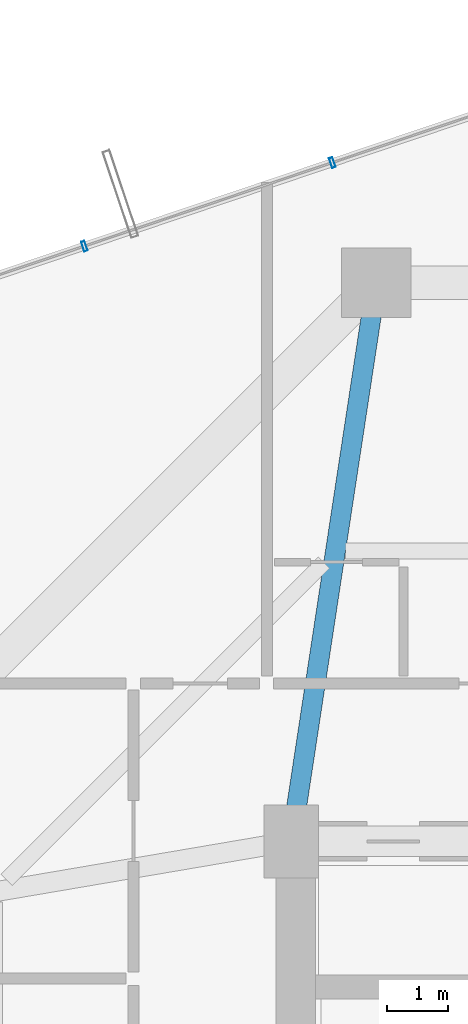
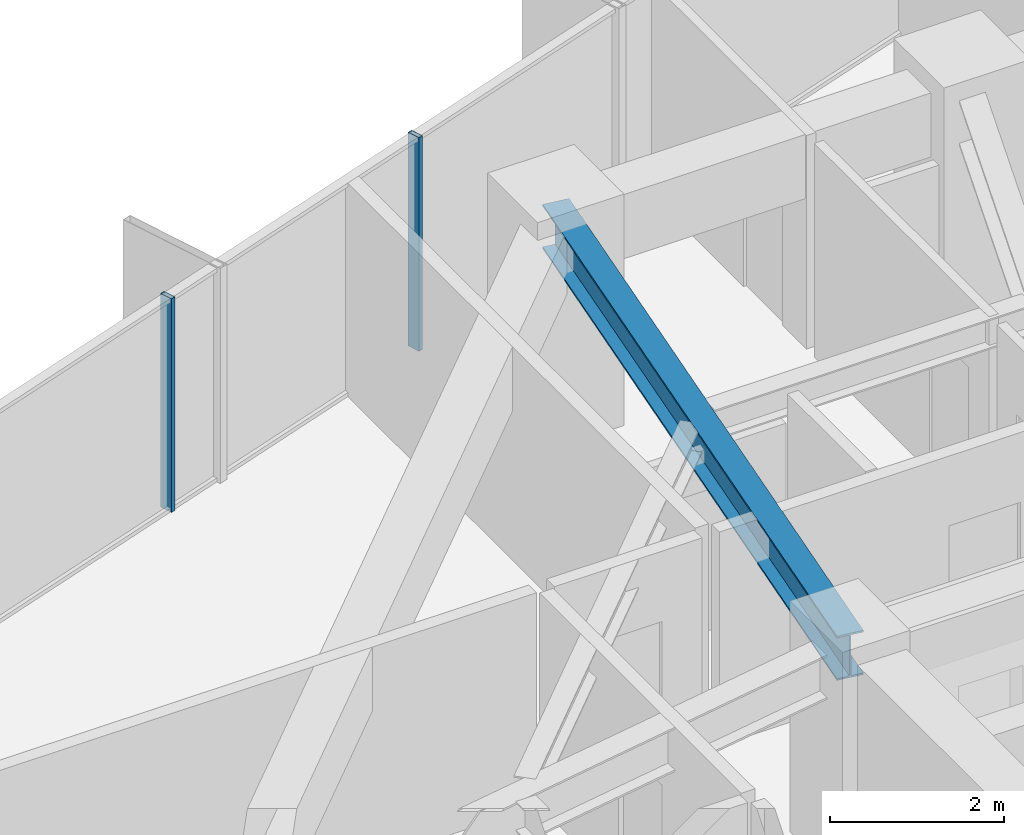
# One storey, part 21 of 32: 2 members, 1 beam, 1 element without a shape of its own.
"""IFC4 building model written with IfcOpenShell, lengths in metres."""

from ifc_helpers import new_model, si_unit, direction, frame, origin, origin_2d, place, context, subcontext, project, spatial, hollow_rectangle, i_section, extrude, source, transform, mapped, material, layer, layer_set, material_profile, profile_set, type_object, element, aggregate, save


model = new_model("IFC4")

# Units and contexts
model_context = context("Model", 3, precision=1e-05, world=origin(), true_north=direction((0.0, 1.0)))
body_context = subcontext(model_context, "Body", "Model", "MODEL_VIEW")
ifc_project = project(units=[si_unit("LENGTHUNIT", "METRE"), si_unit("AREAUNIT", "SQUARE_METRE"), si_unit("VOLUMEUNIT", "CUBIC_METRE"), si_unit("PLANEANGLEUNIT", "RADIAN"), si_unit("MASSUNIT", "GRAM", prefix="KILO")], contexts=[model_context])

# Site, building, storey
site_placement = place(None, origin())
site = spatial("IfcSite", under=ifc_project, at=site_placement, CompositionType="ELEMENT")
building_placement = place(site_placement, origin())
building = spatial("IfcBuilding", under=site, at=building_placement, Name="Veraguas Prism Commons", CompositionType="ELEMENT")
storey_placement = place(building_placement, frame((0.0, 0.0, 89.449951171875)))
storey = spatial("IfcBuildingStorey", under=building, at=storey_placement, Name="L24", CompositionType="ELEMENT", Elevation=89.449951171875)

# Beam
ifc_material_1 = material(Name="Steel ASTM A992 Grade 50", Category="steel")
ifc_material_profile_1 = material_profile(ifc_material_1, i_section(OverallWidth=0.327880859375, OverallDepth=0.6220703125, WebThickness=0.015380859375, FlangeThickness=0.0244140625, at=origin_2d()), Name="W610X195")
ifc_profile_set_1 = profile_set([ifc_material_profile_1], Name="Steel ASTM A992 Grade 50")
beam_type = type_object("IfcBeamType", Name="Zone 2 Radial Girder W610x195", PredefinedType="BEAM", material=ifc_profile_set_1)
beam_placement = place(storey_placement, frame((18.60009765625, 40.199951171875, 2.68896484375), z_axis=(-0.150458162136, -0.98861637729, 0.0), x_axis=(0.98861637729, -0.150458162136, 0.0)))
element("IfcBeam", 1, at=beam_placement, inside=storey, type_object=beam_type, Name="Radial Floor Girder L24-RD06", PredefinedType="BEAM", context=body_context, shape_type="SweptSolid", body=[
    extrude(i_section(OverallWidth=0.327880859375, OverallDepth=0.6220703125, WebThickness=0.015380859375, FlangeThickness=0.0244140625, at=origin_2d()), origin(), (0.0, 0.0, 1.0), 9.305908203125),
])

# Curtain wall, members
ifc_material_2 = material(Name="Anodised aluminium EN AW-6063 T6", Category="aluminium")
ifc_layer = layer(ifc_material_2, 0.169921875, Name="Unitised Flush Curtain Wall Zone 2", Category="aluminium")
ifc_layer_set = layer_set([ifc_layer], Name="Anodised aluminium EN AW-6063 T6")
curtain_wall_type = type_object("IfcCurtainWallType", Name="Unitised Flush Curtain Wall Zone 2", PredefinedType="NOTDEFINED", material=ifc_layer_set)
curtain_wall_placement = place(storey_placement, origin())
curtain_wall = element("IfcCurtainWall", 2, at=curtain_wall_placement, inside=storey, type_object=curtain_wall_type, Name="Tower Facade Curtain Wall L24-F2", PredefinedType="NOTDEFINED")
ifc_material_profile_2 = material_profile(ifc_material_2, hollow_rectangle(XDim=0.06005859375, YDim=0.169921875, WallThickness=0.00390625, at=origin_2d()), Name="AL60X170X4")
ifc_profile_set_2 = profile_set([ifc_material_profile_2], Name="Anodised aluminium EN AW-6063 T6")
member_type = type_object("IfcMemberType", Name="Curtain Wall Mullion Lower AL 60x170x4", PredefinedType="MULLION", material=ifc_profile_set_2)
shared_shape = source(origin(), body_context, "Body", "SweptSolid", [
    extrude(hollow_rectangle(XDim=0.06005859375, YDim=0.169921875, WallThickness=0.00390625, at=origin_2d()), origin(), (0.0, 0.0, 1.0), 3.0),
])
member_1_placement = place(storey_placement, frame((17.875244140625, 42.178466796875, 0.0), z_axis=(0.0, 0.0, 1.0), x_axis=(-0.94765924351, -0.319283507543, 0.0)))
member_1 = element("IfcMember", 3, at=member_1_placement, type_object=member_type, Name="CW-Z2 Mullion 3", PredefinedType="MULLION", context=body_context, shape_type="MappedRepresentation", body=[
    mapped(shared_shape, transform((0.0, 0.0, 0.0), scale=1.0)),
])
member_2_placement = place(storey_placement, frame((13.792236328125, 40.802734375, 0.0), z_axis=(0.0, 0.0, 1.0), x_axis=(-0.94765924351, -0.319283507543, 0.0)))
member_2 = element("IfcMember", 4, at=member_2_placement, type_object=member_type, Name="CW-Z2 Mullion 4", PredefinedType="MULLION", context=body_context, shape_type="MappedRepresentation", body=[
    mapped(shared_shape, transform((0.0, 0.0, 0.0), scale=1.0)),
])
aggregate(curtain_wall, [member_1, member_2])

save(model, "model.ifc")
